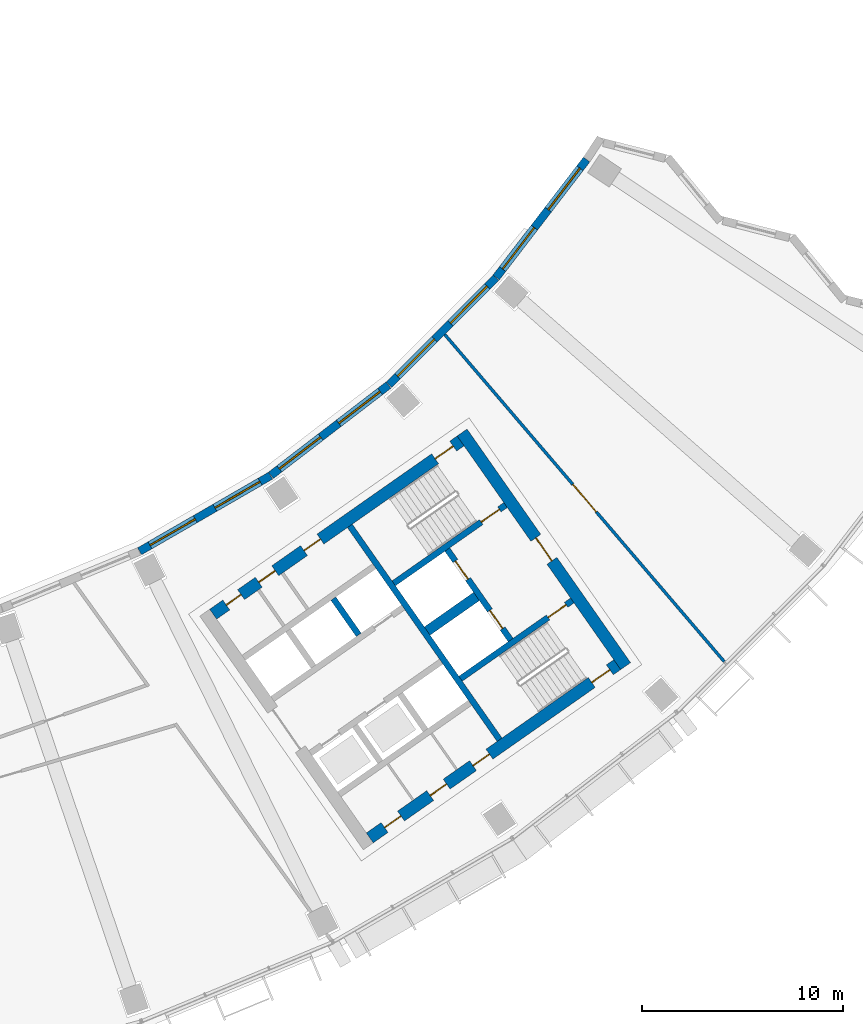
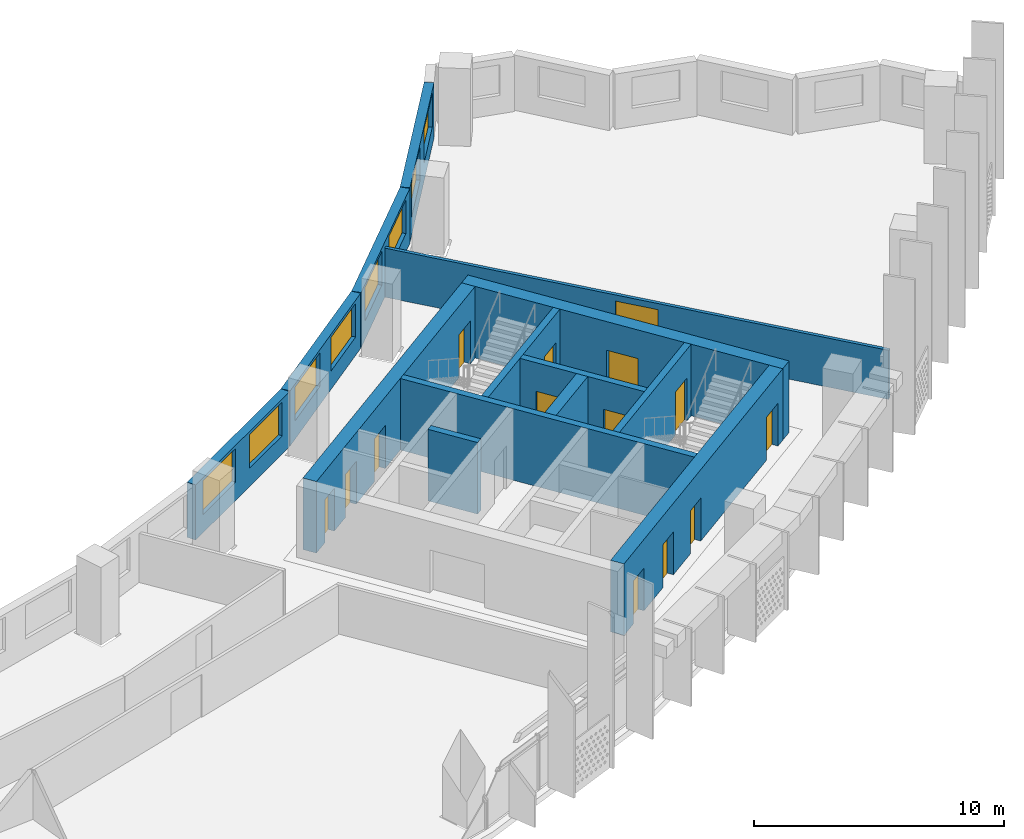
# One storey, part 6 of 31: 14 doors, 14 walls, 8 windows, 22 openings.
"""IFC4 building model written with IfcOpenShell, lengths in metres."""

from ifc_helpers import new_model, si_unit, direction, frame, frame_2d, origin, place, context, subcontext, project, spatial, rectangle, extrude, material, layer, layer_set, type_object, element, fill, save


model = new_model("IFC4")

# Units and contexts
model_context = context("Model", 3, precision=1e-05, world=origin(), true_north=direction((0.0, 1.0)))
body_context = subcontext(model_context, "Body", "Model", "MODEL_VIEW")
ifc_project = project(units=[si_unit("LENGTHUNIT", "METRE"), si_unit("AREAUNIT", "SQUARE_METRE"), si_unit("VOLUMEUNIT", "CUBIC_METRE"), si_unit("PLANEANGLEUNIT", "RADIAN"), si_unit("MASSUNIT", "GRAM", prefix="KILO")], contexts=[model_context])

# Site, building, storey
site_placement = place(None, origin())
site = spatial("IfcSite", under=ifc_project, at=site_placement, CompositionType="ELEMENT")
building_placement = place(site_placement, origin())
building = spatial("IfcBuilding", under=site, at=building_placement, Name="Qamariyya Broadcast Tower", CompositionType="ELEMENT")
storey_placement = place(building_placement, frame((0.0, 0.0, 149.300048828125)))
storey = spatial("IfcBuildingStorey", under=building, at=storey_placement, Name="L34", CompositionType="ELEMENT", Elevation=149.300048828125)

# Wall, opening, door
ifc_material_1 = material(Name="Concrete C60/75", Category="concrete")
ifc_layer_1 = layer(ifc_material_1, 0.60009765625)
ifc_layer_set_1 = layer_set([ifc_layer_1], Name="Core wall 600 mm Concrete C60/75")
wall_type_1 = type_object("IfcWallType", Name="Core wall 600 mm Concrete C60/75", PredefinedType="SHEAR", material=ifc_layer_set_1)
wall_1_placement = place(storey_placement, frame((49.4833984375, -57.031494140625, 0.0), z_axis=(0.0, 0.0, 1.0), x_axis=(-0.573560421458, 0.819163257805, 0.0)))
wall_1 = element("IfcWall", 1, at=wall_1_placement, inside=storey, type_object=wall_type_1, Name="k-E-L34-WH", PredefinedType="SHEAR", context=body_context, shape_type="SweptSolid", body=[
    extrude(rectangle(XDim=14.199951171875, YDim=0.60009765625, at=frame_2d((7.10009765625, 0.0))), origin(), (0.0, 0.0, 1.0), 3.5),
])
opening_1_placement = place(wall_1_placement, frame((6.39990234375, 0.0, 0.0)))
opening_1 = element("IfcOpeningElement", 2, at=opening_1_placement, cuts=wall_1, Name="Opening KD2-E1", PredefinedType="OPENING", context=body_context, shape_type="SweptSolid", body=[
    extrude(rectangle(XDim=1.39990234375, YDim=2.10009765625, at=frame_2d((0.699951171875, 1.050048828125))), frame((0.0, 0.31005859375, 0.0), z_axis=(0.0, -1.0, 0.0), x_axis=(1.0, 0.0, 0.0)), (0.0, 0.0, 1.0), 0.6201171875),
])
ifc_material_2 = material(Name="Steel fire-resisting door leaf", Category="steel")
door_type_1 = type_object("IfcDoorType", Name="Fire-fighting lobby door KD2", OperationType="DOUBLE_DOOR_SINGLE_SWING", PredefinedType="DOOR", material=ifc_material_2)
door_1_placement = place(opening_1_placement, origin())
door_1 = element("IfcDoor", 3, at=door_1_placement, inside=storey, type_object=door_type_1, Name="k-E-L34-WH-D13", OperationType="DOUBLE_DOOR_SINGLE_SWING", OverallHeight=2.10009765625, OverallWidth=1.39990234375, PredefinedType="DOOR", context=body_context, shape_type="SweptSolid", body=[
    extrude(rectangle(XDim=1.39990234375, YDim=2.10009765625, at=frame_2d((0.699951171875, 1.050048828125))), frame((0.0, 0.02490234375, 0.0), z_axis=(0.0, -1.0, 0.0), x_axis=(1.0, 0.0, 0.0)), (0.0, 0.0, 1.0), 0.050048828125),
])
fill(opening_1, door_1)

# Wall, openings, doors
wall_2_placement = place(storey_placement, frame((28.940673828125, -54.447021484375, 0.0), z_axis=(0.0, 0.0, 1.0), x_axis=(0.819153391756, 0.573574511963, 0.0)))
wall_2 = element("IfcWall", 4, at=wall_2_placement, inside=storey, type_object=wall_type_1, Name="k-E-L34-WI", PredefinedType="SHEAR", context=body_context, shape_type="SweptSolid", body=[
    extrude(rectangle(XDim=15.04541015625, YDim=0.60009765625, at=frame_2d((7.522705078125, 0.0))), origin(), (0.0, 0.0, 1.0), 3.5),
])
opening_2_placement = place(wall_2_placement, frame((0.800048828125, 0.0, 0.0)))
opening_2 = element("IfcOpeningElement", 5, at=opening_2_placement, cuts=wall_2, Name="Opening KD5-E1", PredefinedType="OPENING", context=body_context, shape_type="SweptSolid", body=[
    extrude(rectangle(XDim=0.89990234375, YDim=2.10009765625, at=frame_2d((0.449951171875, 1.050048828125))), frame((0.0, 0.31005859375, 0.0), z_axis=(0.0, -1.0, 0.0), x_axis=(1.0, 0.0, 0.0)), (0.0, 0.0, 1.0), 0.6201171875),
])
opening_3_placement = place(wall_2_placement, frame((2.77490234375, 0.0, 0.0)))
opening_3 = element("IfcOpeningElement", 6, at=opening_3_placement, cuts=wall_2, Name="Opening KD7-E1", PredefinedType="OPENING", context=body_context, shape_type="SweptSolid", body=[
    extrude(rectangle(XDim=1.0, YDim=2.10009765625, at=frame_2d((0.5, 1.050048828125))), frame((0.0, 0.31005859375, 0.0), z_axis=(0.0, -1.0, 0.0), x_axis=(1.0, 0.0, 0.0)), (0.0, 0.0, 1.0), 0.6201171875),
])
opening_4_placement = place(wall_2_placement, frame((5.52490234375, 0.0, 0.0)))
opening_4 = element("IfcOpeningElement", 7, at=opening_4_placement, cuts=wall_2, Name="Opening KD6-E1", PredefinedType="OPENING", context=body_context, shape_type="SweptSolid", body=[
    extrude(rectangle(XDim=1.0, YDim=2.10009765625, at=frame_2d((0.5, 1.050048828125))), frame((0.0, 0.31005859375, 0.0), z_axis=(0.0, -1.0, 0.0), x_axis=(1.0, 0.0, 0.0)), (0.0, 0.0, 1.0), 0.6201171875),
])
opening_5_placement = place(wall_2_placement, frame((13.495361328125, 0.0, 0.0)))
opening_5 = element("IfcOpeningElement", 8, at=opening_5_placement, cuts=wall_2, Name="Opening KD1-E1", PredefinedType="OPENING", context=body_context, shape_type="SweptSolid", body=[
    extrude(rectangle(XDim=1.10009765625, YDim=2.10009765625, at=frame_2d((0.550048828125, 1.050048828125))), frame((0.0, 0.31005859375, 0.0), z_axis=(0.0, -1.0, 0.0), x_axis=(1.0, 0.0, 0.0)), (0.0, 0.0, 1.0), 0.6201171875),
])
door_type_2 = type_object("IfcDoorType", Name="Accessible toilet door KD7", OperationType="SINGLE_SWING_LEFT", PredefinedType="DOOR", material=ifc_material_2)
door_2_placement = place(opening_3_placement, origin())
door_2 = element("IfcDoor", 9, at=door_2_placement, inside=storey, type_object=door_type_2, Name="k-E-L34-WI-D6", OperationType="SINGLE_SWING_RIGHT", OverallHeight=2.10009765625, OverallWidth=1.0, PredefinedType="DOOR", context=body_context, shape_type="SweptSolid", body=[
    extrude(rectangle(XDim=1.0, YDim=2.10009765625, at=frame_2d((0.5, 1.050048828125))), frame((0.0, 0.02490234375, 0.0), z_axis=(0.0, -1.0, 0.0), x_axis=(1.0, 0.0, 0.0)), (0.0, 0.0, 1.0), 0.050048828125),
])
fill(opening_3, door_2)
door_type_3 = type_object("IfcDoorType", Name="Core room door KD6", OperationType="SINGLE_SWING_LEFT", PredefinedType="DOOR", material=ifc_material_2)
door_3_placement = place(opening_4_placement, origin())
door_3 = element("IfcDoor", 10, at=door_3_placement, inside=storey, type_object=door_type_3, Name="k-E-L34-WI-D7", OperationType="SINGLE_SWING_LEFT", OverallHeight=2.10009765625, OverallWidth=1.0, PredefinedType="DOOR", context=body_context, shape_type="SweptSolid", body=[
    extrude(rectangle(XDim=1.0, YDim=2.10009765625, at=frame_2d((0.5, 1.050048828125))), frame((0.0, 0.02490234375, 0.0), z_axis=(0.0, -1.0, 0.0), x_axis=(1.0, 0.0, 0.0)), (0.0, 0.0, 1.0), 0.050048828125),
])
fill(opening_4, door_3)
door_type_4 = type_object("IfcDoorType", Name="Stair door KD1", OperationType="SINGLE_SWING_LEFT", PredefinedType="DOOR", material=ifc_material_2)
door_4_placement = place(opening_5_placement, origin())
door_4 = element("IfcDoor", 11, at=door_4_placement, inside=storey, type_object=door_type_4, Name="k-E-L34-WI-D14", OperationType="SINGLE_SWING_RIGHT", OverallHeight=2.10009765625, OverallWidth=1.10009765625, PredefinedType="DOOR", context=body_context, shape_type="SweptSolid", body=[
    extrude(rectangle(XDim=1.10009765625, YDim=2.10009765625, at=frame_2d((0.550048828125, 1.050048828125))), frame((0.0, 0.02490234375, 0.0), z_axis=(0.0, -1.0, 0.0), x_axis=(1.0, 0.0, 0.0)), (0.0, 0.0, 1.0), 0.050048828125),
])
fill(opening_5, door_4)
door_type_5 = type_object("IfcDoorType", Name="Toilet door KD5", OperationType="SINGLE_SWING_LEFT", PredefinedType="DOOR", material=ifc_material_2)
door_5_placement = place(opening_2_placement, origin())
door_5 = element("IfcDoor", 12, at=door_5_placement, inside=storey, type_object=door_type_5, Name="k-E-L34-WI-D5", OperationType="SINGLE_SWING_LEFT", OverallHeight=2.10009765625, OverallWidth=0.89990234375, PredefinedType="DOOR", context=body_context, shape_type="SweptSolid", body=[
    extrude(rectangle(XDim=0.89990234375, YDim=2.10009765625, at=frame_2d((0.449951171875, 1.050048828125))), frame((0.0, 0.02490234375, 0.0), z_axis=(0.0, -1.0, 0.0), x_axis=(1.0, 0.0, 0.0)), (0.0, 0.0, 1.0), 0.050048828125),
])
fill(opening_2, door_5)

wall_3_placement = place(storey_placement, frame((36.7412109375, -65.58740234375, 0.0), z_axis=(0.0, 0.0, 1.0), x_axis=(0.819153391756, 0.573574511963, 0.0)))
wall_3 = element("IfcWall", 13, at=wall_3_placement, inside=storey, type_object=wall_type_1, Name="k-E-L34-WO", PredefinedType="SHEAR", context=body_context, shape_type="SweptSolid", body=[
    extrude(rectangle(XDim=15.04541015625, YDim=0.60009765625, at=frame_2d((7.522705078125, 0.0))), origin(), (0.0, 0.0, 1.0), 3.5),
])
opening_6_placement = place(wall_3_placement, frame((0.89990234375, 0.0, 0.0)))
opening_6 = element("IfcOpeningElement", 14, at=opening_6_placement, cuts=wall_3, Name="Opening KD4-E1", PredefinedType="OPENING", context=body_context, shape_type="SweptSolid", body=[
    extrude(rectangle(XDim=1.0, YDim=2.10009765625, at=frame_2d((0.5, 1.050048828125))), frame((0.0, 0.31005859375, 0.0), z_axis=(0.0, -1.0, 0.0), x_axis=(1.0, 0.0, 0.0)), (0.0, 0.0, 1.0), 0.6201171875),
])
opening_7_placement = place(wall_3_placement, frame((3.675048828125, 0.0, 0.0)))
opening_7 = element("IfcOpeningElement", 15, at=opening_7_placement, cuts=wall_3, Name="Opening KD4-E2", PredefinedType="OPENING", context=body_context, shape_type="SweptSolid", body=[
    extrude(rectangle(XDim=1.0, YDim=2.10009765625, at=frame_2d((0.5, 1.050048828125))), frame((0.0, 0.31005859375, 0.0), z_axis=(0.0, -1.0, 0.0), x_axis=(1.0, 0.0, 0.0)), (0.0, 0.0, 1.0), 0.6201171875),
])
opening_8_placement = place(wall_3_placement, frame((6.27490234375, 0.0, 0.0)))
opening_8 = element("IfcOpeningElement", 16, at=opening_8_placement, cuts=wall_3, Name="Opening KD4-E3", PredefinedType="OPENING", context=body_context, shape_type="SweptSolid", body=[
    extrude(rectangle(XDim=1.0, YDim=2.10009765625, at=frame_2d((0.5, 1.050048828125))), frame((0.0, 0.31005859375, 0.0), z_axis=(0.0, -1.0, 0.0), x_axis=(1.0, 0.0, 0.0)), (0.0, 0.0, 1.0), 0.6201171875),
])
opening_9_placement = place(wall_3_placement, frame((13.495361328125, 0.0, 0.0)))
opening_9 = element("IfcOpeningElement", 17, at=opening_9_placement, cuts=wall_3, Name="Opening KD1-E3", PredefinedType="OPENING", context=body_context, shape_type="SweptSolid", body=[
    extrude(rectangle(XDim=1.10009765625, YDim=2.10009765625, at=frame_2d((0.550048828125, 1.050048828125))), frame((0.0, 0.31005859375, 0.0), z_axis=(0.0, -1.0, 0.0), x_axis=(1.0, 0.0, 0.0)), (0.0, 0.0, 1.0), 0.6201171875),
])
door_type_6 = type_object("IfcDoorType", Name="Riser and plant door KD4", OperationType="SINGLE_SWING_LEFT", PredefinedType="DOOR", material=ifc_material_2)
door_6_placement = place(opening_6_placement, origin())
door_6 = element("IfcDoor", 18, at=door_6_placement, inside=storey, type_object=door_type_6, Name="k-E-L34-WO-D8", OperationType="SINGLE_SWING_RIGHT", OverallHeight=2.10009765625, OverallWidth=1.0, PredefinedType="DOOR", context=body_context, shape_type="SweptSolid", body=[
    extrude(rectangle(XDim=1.0, YDim=2.10009765625, at=frame_2d((0.5, 1.050048828125))), frame((0.0, 0.02490234375, 0.0), z_axis=(0.0, -1.0, 0.0), x_axis=(1.0, 0.0, 0.0)), (0.0, 0.0, 1.0), 0.050048828125),
])
fill(opening_6, door_6)
door_7_placement = place(opening_7_placement, origin())
door_7 = element("IfcDoor", 19, at=door_7_placement, inside=storey, type_object=door_type_6, Name="k-E-L34-WO-D9", OperationType="SINGLE_SWING_LEFT", OverallHeight=2.10009765625, OverallWidth=1.0, PredefinedType="DOOR", context=body_context, shape_type="SweptSolid", body=[
    extrude(rectangle(XDim=1.0, YDim=2.10009765625, at=frame_2d((0.5, 1.050048828125))), frame((0.0, 0.02490234375, 0.0), z_axis=(0.0, -1.0, 0.0), x_axis=(1.0, 0.0, 0.0)), (0.0, 0.0, 1.0), 0.050048828125),
])
fill(opening_7, door_7)
door_8_placement = place(opening_8_placement, origin())
door_8 = element("IfcDoor", 20, at=door_8_placement, inside=storey, type_object=door_type_6, Name="k-E-L34-WO-D10", OperationType="SINGLE_SWING_RIGHT", OverallHeight=2.10009765625, OverallWidth=1.0, PredefinedType="DOOR", context=body_context, shape_type="SweptSolid", body=[
    extrude(rectangle(XDim=1.0, YDim=2.10009765625, at=frame_2d((0.5, 1.050048828125))), frame((0.0, 0.02490234375, 0.0), z_axis=(0.0, -1.0, 0.0), x_axis=(1.0, 0.0, 0.0)), (0.0, 0.0, 1.0), 0.050048828125),
])
fill(opening_8, door_8)
door_9_placement = place(opening_9_placement, origin())
door_9 = element("IfcDoor", 21, at=door_9_placement, inside=storey, type_object=door_type_4, Name="k-E-L34-WO-D16", OperationType="SINGLE_SWING_LEFT", OverallHeight=2.10009765625, OverallWidth=1.10009765625, PredefinedType="DOOR", context=body_context, shape_type="SweptSolid", body=[
    extrude(rectangle(XDim=1.10009765625, YDim=2.10009765625, at=frame_2d((0.550048828125, 1.050048828125))), frame((0.0, 0.02490234375, 0.0), z_axis=(0.0, -1.0, 0.0), x_axis=(1.0, 0.0, 0.0)), (0.0, 0.0, 1.0), 0.050048828125),
])
fill(opening_9, door_9)

# Wall, opening, door
ifc_material_3 = material(Name="Gypsum board partition")
ifc_layer_2 = layer(ifc_material_3, 0.14990234375)
ifc_layer_set_2 = layer_set([ifc_layer_2], Name="Corridor partition 150 EI 60")
wall_type_2 = type_object("IfcWallType", Name="Corridor partition 150 EI 60", PredefinedType="PARTITIONING", material=ifc_layer_set_2)
wall_4_placement = place(storey_placement, frame((40.478759765625, -40.52294921875, 0.0), z_axis=(0.0, 0.0, 1.0), x_axis=(0.649633284071, -0.760247720303, 0.0)))
wall_4 = element("IfcWall", 22, at=wall_4_placement, inside=storey, type_object=wall_type_2, Name="Partition L34-022", PredefinedType="PARTITIONING", context=body_context, shape_type="SweptSolid", body=[
    extrude(rectangle(XDim=21.420166015625, YDim=0.14990234375, at=frame_2d((10.7099609375, 0.0))), origin(), (0.0, 0.0, 1.0), 2.39990234375),
])
opening_10_placement = place(wall_4_placement, frame((9.81005859375, 0.0, 0.0)))
opening_10 = element("IfcOpeningElement", 23, at=opening_10_placement, cuts=wall_4, Name="Opening L34-D10", PredefinedType="OPENING", context=body_context, shape_type="SweptSolid", body=[
    extrude(rectangle(XDim=1.800048828125, YDim=2.10009765625, at=frame_2d((0.89990234375, 1.050048828125))), frame((0.0, 0.0849609375, 0.0), z_axis=(0.0, -1.0, 0.0), x_axis=(1.0, 0.0, 0.0)), (0.0, 0.0, 1.0), 0.169921875),
])
ifc_material_4 = material(Name="Timber fire door leaf", Category="wood")
door_type_7 = type_object("IfcDoorType", Name="Double fire door 1800 x 2100 FD60", OperationType="NOTDEFINED", PredefinedType="DOOR", material=ifc_material_4)
door_10_placement = place(opening_10_placement, origin())
door_10 = element("IfcDoor", 24, at=door_10_placement, inside=storey, type_object=door_type_7, Name="Door L34-D10", OperationType="DOUBLE_DOOR_SINGLE_SWING", OverallHeight=2.10009765625, OverallWidth=1.800048828125, PredefinedType="DOOR", context=body_context, shape_type="SweptSolid", body=[
    extrude(rectangle(XDim=1.800048828125, YDim=2.10009765625, at=frame_2d((0.89990234375, 1.050048828125))), frame((0.0, 0.02490234375, 0.0), z_axis=(0.0, -1.0, 0.0), x_axis=(1.0, 0.0, 0.0)), (0.0, 0.0, 1.0), 0.050048828125),
])
fill(opening_10, door_10)

# Walls
ifc_layer_3 = layer(ifc_material_1, 0.5)
ifc_layer_set_3 = layer_set([ifc_layer_3], Name="Fire-fighting lobby divider wall 500 mm Concrete C60/75")
wall_type_3 = type_object("IfcWallType", Name="Fire-fighting lobby divider wall 500 mm Concrete C60/75", PredefinedType="SOLIDWALL", material=ifc_layer_set_3)
wall_5_placement = place(storey_placement, frame((39.59912109375, -55.28515625, 0.0), z_axis=(0.0, 0.0, 1.0), x_axis=(0.819136323161, 0.573598887793, 0.0)))
element("IfcWall", 25, at=wall_5_placement, inside=storey, type_object=wall_type_3, Name="k-E-L34-FD", PredefinedType="SOLIDWALL", context=body_context, shape_type="SweptSolid", body=[
    extrude(rectangle(XDim=2.999755859375, YDim=0.5, at=frame_2d((1.5, 0.0))), origin(), (0.0, 0.0, 1.0), 3.5),
])
ifc_layer_4 = layer(ifc_material_1, 0.300048828125)
ifc_layer_set_4 = layer_set([ifc_layer_4], Name="Lift shaft wall 300 mm Concrete C60/75")
wall_type_4 = type_object("IfcWallType", Name="Lift shaft wall 300 mm Concrete C60/75", PredefinedType="SOLIDWALL", material=ifc_layer_set_4)
wall_6_placement = place(storey_placement, frame((43.204345703125, -60.69580078125, 0.0), z_axis=(0.0, 0.0, 1.0), x_axis=(-0.573571992966, 0.819155155563, 0.0)))
element("IfcWall", 26, at=wall_6_placement, inside=storey, type_object=wall_type_4, Name="k-E-L34-WL", PredefinedType="SOLIDWALL", context=body_context, shape_type="SweptSolid", body=[
    extrude(rectangle(XDim=13.000244140625, YDim=0.300048828125, at=frame_2d((6.5, 0.0))), origin(), (0.0, 0.0, 1.0), 3.5),
])
wall_7_placement = place(storey_placement, frame((36.19091796875, -55.47412109375, 0.0), z_axis=(0.0, 0.0, 1.0), x_axis=(-0.573507030513, 0.819200638399, 0.0)))
element("IfcWall", 27, at=wall_7_placement, inside=storey, type_object=wall_type_4, Name="k-E-L34-ND1", PredefinedType="SOLIDWALL", context=body_context, shape_type="SweptSolid", body=[
    extrude(rectangle(XDim=2.199951171875, YDim=0.300048828125, at=frame_2d((1.10009765625, 0.0))), origin(), (0.0, 0.0, 1.0), 3.5),
])

# Wall, opening, door
wall_8_placement = place(storey_placement, frame((37.935546875, -52.90966796875, 0.0), z_axis=(0.0, 0.0, 1.0), x_axis=(0.819147518138, 0.57358290031, 0.0)))
wall_8 = element("IfcWall", 28, at=wall_8_placement, inside=storey, type_object=wall_type_4, Name="k-E-L34-NW", PredefinedType="SOLIDWALL", context=body_context, shape_type="SweptSolid", body=[
    extrude(rectangle(XDim=6.79541015625, YDim=0.300048828125, at=frame_2d((3.397705078125, 0.0))), origin(), (0.0, 0.0, 1.0), 3.5),
])
opening_11_placement = place(wall_8_placement, frame((5.3203125, 0.0, 0.0)))
opening_11 = element("IfcOpeningElement", 29, at=opening_11_placement, cuts=wall_8, Name="Opening KD1-E2", PredefinedType="OPENING", context=body_context, shape_type="SweptSolid", body=[
    extrude(rectangle(XDim=1.10009765625, YDim=2.10009765625, at=frame_2d((0.550048828125, 1.050048828125))), frame((0.0, 0.159912109375, 0.0), z_axis=(0.0, -1.0, 0.0), x_axis=(1.0, 0.0, 0.0)), (0.0, 0.0, 1.0), 0.320068359375),
])
door_11_placement = place(opening_11_placement, origin())
door_11 = element("IfcDoor", 30, at=door_11_placement, inside=storey, type_object=door_type_4, Name="k-E-L34-NW-D15", OperationType="SINGLE_SWING_LEFT", OverallHeight=2.10009765625, OverallWidth=1.10009765625, PredefinedType="DOOR", context=body_context, shape_type="SweptSolid", body=[
    extrude(rectangle(XDim=1.10009765625, YDim=2.10009765625, at=frame_2d((0.550048828125, 1.050048828125))), frame((0.0, 0.02490234375, 0.0), z_axis=(0.0, -1.0, 0.0), x_axis=(1.0, 0.0, 0.0)), (0.0, 0.0, 1.0), 0.050048828125),
])
fill(opening_11, door_11)

wall_9_placement = place(storey_placement, frame((41.262451171875, -57.66064453125, 0.0), z_axis=(0.0, 0.0, 1.0), x_axis=(0.819164398642, 0.573558792102, 0.0)))
wall_9 = element("IfcWall", 31, at=wall_9_placement, inside=storey, type_object=wall_type_4, Name="k-E-L34-SW", PredefinedType="SOLIDWALL", context=body_context, shape_type="SweptSolid", body=[
    extrude(rectangle(XDim=6.795166015625, YDim=0.300048828125, at=frame_2d((3.3974609375, 0.0))), origin(), (0.0, 0.0, 1.0), 3.5),
])
opening_12_placement = place(wall_9_placement, frame((5.3203125, 0.0, 0.0)))
opening_12 = element("IfcOpeningElement", 32, at=opening_12_placement, cuts=wall_9, Name="Opening KD1-E4", PredefinedType="OPENING", context=body_context, shape_type="SweptSolid", body=[
    extrude(rectangle(XDim=1.10009765625, YDim=2.10009765625, at=frame_2d((0.550048828125, 1.050048828125))), frame((0.0, 0.159912109375, 0.0), z_axis=(0.0, -1.0, 0.0), x_axis=(1.0, 0.0, 0.0)), (0.0, 0.0, 1.0), 0.320068359375),
])
door_12_placement = place(opening_12_placement, origin())
door_12 = element("IfcDoor", 33, at=door_12_placement, inside=storey, type_object=door_type_4, Name="k-E-L34-SW-D17", OperationType="SINGLE_SWING_LEFT", OverallHeight=2.10009765625, OverallWidth=1.10009765625, PredefinedType="DOOR", context=body_context, shape_type="SweptSolid", body=[
    extrude(rectangle(XDim=1.10009765625, YDim=2.10009765625, at=frame_2d((0.550048828125, 1.050048828125))), frame((0.0, 0.02490234375, 0.0), z_axis=(0.0, -1.0, 0.0), x_axis=(1.0, 0.0, 0.0)), (0.0, 0.0, 1.0), 0.050048828125),
])
fill(opening_12, door_12)

# Wall, openings, doors
wall_10_placement = place(storey_placement, frame((43.756591796875, -55.731201171875, 0.0), z_axis=(0.0, 0.0, 1.0), x_axis=(-0.573536818435, 0.819179783625, 0.0)))
wall_10 = element("IfcWall", 34, at=wall_10_placement, inside=storey, type_object=wall_type_4, Name="k-E-L34-FF", PredefinedType="SOLIDWALL", context=body_context, shape_type="SweptSolid", body=[
    extrude(rectangle(XDim=5.500244140625, YDim=0.300048828125, at=frame_2d((2.75, 0.0))), origin(), (0.0, 0.0, 1.0), 3.5),
])
opening_13_placement = place(wall_10_placement, frame((0.699951171875, 0.0, 0.0)))
opening_13 = element("IfcOpeningElement", 35, at=opening_13_placement, cuts=wall_10, Name="Opening LD", PredefinedType="OPENING", context=body_context, shape_type="SweptSolid", body=[
    extrude(rectangle(XDim=1.10009765625, YDim=2.10009765625, at=frame_2d((0.550048828125, 1.050048828125))), frame((0.0, 0.159912109375, 0.0), z_axis=(0.0, -1.0, 0.0), x_axis=(1.0, 0.0, 0.0)), (0.0, 0.0, 1.0), 0.320068359375),
])
opening_14_placement = place(wall_10_placement, frame((3.699951171875, 0.0, 0.0)))
opening_14 = element("IfcOpeningElement", 36, at=opening_14_placement, cuts=wall_10, Name="Opening LD", PredefinedType="OPENING", context=body_context, shape_type="SweptSolid", body=[
    extrude(rectangle(XDim=1.10009765625, YDim=2.10009765625, at=frame_2d((0.550048828125, 1.050048828125))), frame((0.0, 0.159912109375, 0.0), z_axis=(0.0, -1.0, 0.0), x_axis=(1.0, 0.0, 0.0)), (0.0, 0.0, 1.0), 0.320068359375),
])
door_type_8 = type_object("IfcDoorType", Name="Lift landing door LD", OperationType="DOUBLE_DOOR_SLIDING", PredefinedType="DOOR", material=ifc_material_2)
door_13_placement = place(opening_13_placement, origin())
door_13 = element("IfcDoor", 37, at=door_13_placement, inside=storey, type_object=door_type_8, Name="k-E-L34-FF-D11", OperationType="DOUBLE_DOOR_SLIDING", OverallHeight=2.10009765625, OverallWidth=1.10009765625, PredefinedType="DOOR", context=body_context, shape_type="SweptSolid", body=[
    extrude(rectangle(XDim=1.10009765625, YDim=2.10009765625, at=frame_2d((0.550048828125, 1.050048828125))), frame((0.0, 0.02490234375, 0.0), z_axis=(0.0, -1.0, 0.0), x_axis=(1.0, 0.0, 0.0)), (0.0, 0.0, 1.0), 0.050048828125),
])
fill(opening_13, door_13)
door_14_placement = place(opening_14_placement, origin())
door_14 = element("IfcDoor", 38, at=door_14_placement, inside=storey, type_object=door_type_8, Name="k-E-L34-FF-D12", OperationType="DOUBLE_DOOR_SLIDING", OverallHeight=2.10009765625, OverallWidth=1.10009765625, PredefinedType="DOOR", context=body_context, shape_type="SweptSolid", body=[
    extrude(rectangle(XDim=1.10009765625, YDim=2.10009765625, at=frame_2d((0.550048828125, 1.050048828125))), frame((0.0, 0.02490234375, 0.0), z_axis=(0.0, -1.0, 0.0), x_axis=(1.0, 0.0, 0.0)), (0.0, 0.0, 1.0), 0.050048828125),
])
fill(opening_14, door_14)

# Wall, openings, windows
ifc_material_5 = material(Name="Terracotta", Category="masonry")
ifc_layer_5 = layer(ifc_material_5, 0.39990234375)
ifc_layer_set_5 = layer_set([ifc_layer_5], Name="Terracotta clad wall 400")
wall_type_5 = type_object("IfcWallType", Name="Terracotta clad wall 400", PredefinedType="SOLIDWALL", material=ifc_layer_set_5)
wall_11_placement = place(storey_placement, frame((31.800537109375, -47.5478515625, 0.0), z_axis=(0.0, 0.0, 1.0), x_axis=(-0.866028517328, -0.499994607145, 0.0)))
wall_11 = element("IfcWall", 39, at=wall_11_placement, inside=storey, type_object=wall_type_5, Name="e-wl-L34-in110", PredefinedType="SOLIDWALL", context=body_context, shape_type="SweptSolid", body=[
    extrude(rectangle(XDim=7.5322265625, YDim=0.39990234375, at=frame_2d((3.76611328125, 0.0))), origin(), (0.0, 0.0, 1.0), 2.699951171875),
])
opening_15_placement = place(wall_11_placement, frame((4.330078125, 0.0, 0.89990234375)))
opening_15 = element("IfcOpeningElement", 40, at=opening_15_placement, cuts=wall_11, Name="Opening W1", PredefinedType="OPENING", context=body_context, shape_type="SweptSolid", body=[
    extrude(rectangle(XDim=2.60009765625, YDim=1.64990234375, at=frame_2d((1.300048828125, 0.824951171875))), frame((0.0, 0.2099609375, 0.0), z_axis=(0.0, -1.0, 0.0), x_axis=(1.0, 0.0, 0.0)), (0.0, 0.0, 1.0), 0.419921875),
])
opening_16_placement = place(wall_11_placement, frame((0.60205078125, 0.0, 0.89990234375)))
opening_16 = element("IfcOpeningElement", 41, at=opening_16_placement, cuts=wall_11, Name="Opening W1", PredefinedType="OPENING", context=body_context, shape_type="SweptSolid", body=[
    extrude(rectangle(XDim=2.60009765625, YDim=1.64990234375, at=frame_2d((1.300048828125, 0.824951171875))), frame((0.0, 0.2099609375, 0.0), z_axis=(0.0, -1.0, 0.0), x_axis=(1.0, 0.0, 0.0)), (0.0, 0.0, 1.0), 0.419921875),
])
ifc_material_6 = material(Name="Clear low-e double glazed unit in aluminium frame", Category="aluminium")
window_type = type_object("IfcWindowType", Name="Ribbon window 2600 x 1650", PartitioningType="SINGLE_PANEL", PredefinedType="WINDOW", material=ifc_material_6)
window_1_placement = place(opening_15_placement, origin())
window_1 = element("IfcWindow", 42, at=window_1_placement, inside=storey, type_object=window_type, Name="e-w-L34-in11-0", OverallHeight=1.64990234375, OverallWidth=2.60009765625, PartitioningType="SINGLE_PANEL", PredefinedType="WINDOW", context=body_context, shape_type="SweptSolid", body=[
    extrude(rectangle(XDim=2.60009765625, YDim=1.64990234375, at=frame_2d((1.300048828125, 0.824951171875))), frame((0.0, 0.030029296875, 0.0), z_axis=(0.0, -1.0, 0.0), x_axis=(1.0, 0.0, 0.0)), (0.0, 0.0, 1.0), 0.06005859375),
])
fill(opening_15, window_1)
window_2_placement = place(opening_16_placement, origin())
window_2 = element("IfcWindow", 43, at=window_2_placement, inside=storey, type_object=window_type, Name="e-w-L34-in11-1", OverallHeight=1.64990234375, OverallWidth=2.60009765625, PartitioningType="SINGLE_PANEL", PredefinedType="WINDOW", context=body_context, shape_type="SweptSolid", body=[
    extrude(rectangle(XDim=2.60009765625, YDim=1.64990234375, at=frame_2d((1.300048828125, 0.824951171875))), frame((0.0, 0.030029296875, 0.0), z_axis=(0.0, -1.0, 0.0), x_axis=(1.0, 0.0, 0.0)), (0.0, 0.0, 1.0), 0.06005859375),
])
fill(opening_16, window_2)

wall_12_placement = place(storey_placement, frame((37.674560546875, -43.036376953125, 0.0), z_axis=(0.0, 0.0, 1.0), x_axis=(-0.79334647843, -0.608770371457, 0.0)))
wall_12 = element("IfcWall", 44, at=wall_12_placement, inside=storey, type_object=wall_type_5, Name="e-wl-L34-in120", PredefinedType="SOLIDWALL", context=body_context, shape_type="SweptSolid", body=[
    extrude(rectangle(XDim=7.380615234375, YDim=0.39990234375, at=frame_2d((3.6904296875, 0.0))), origin(), (0.0, 0.0, 1.0), 2.699951171875),
])
opening_17_placement = place(wall_12_placement, frame((4.25439453125, 0.0, 0.89990234375)))
opening_17 = element("IfcOpeningElement", 45, at=opening_17_placement, cuts=wall_12, Name="Opening W1", PredefinedType="OPENING", context=body_context, shape_type="SweptSolid", body=[
    extrude(rectangle(XDim=2.60009765625, YDim=1.64990234375, at=frame_2d((1.300048828125, 0.824951171875))), frame((0.0, 0.2099609375, 0.0), z_axis=(0.0, -1.0, 0.0), x_axis=(1.0, 0.0, 0.0)), (0.0, 0.0, 1.0), 0.419921875),
])
opening_18_placement = place(wall_12_placement, frame((0.5263671875, 0.0, 0.89990234375)))
opening_18 = element("IfcOpeningElement", 46, at=opening_18_placement, cuts=wall_12, Name="Opening W1", PredefinedType="OPENING", context=body_context, shape_type="SweptSolid", body=[
    extrude(rectangle(XDim=2.60009765625, YDim=1.64990234375, at=frame_2d((1.300048828125, 0.824951171875))), frame((0.0, 0.2099609375, 0.0), z_axis=(0.0, -1.0, 0.0), x_axis=(1.0, 0.0, 0.0)), (0.0, 0.0, 1.0), 0.419921875),
])
window_3_placement = place(opening_17_placement, origin())
window_3 = element("IfcWindow", 47, at=window_3_placement, inside=storey, type_object=window_type, Name="e-w-L34-in12-0", OverallHeight=1.64990234375, OverallWidth=2.60009765625, PartitioningType="SINGLE_PANEL", PredefinedType="WINDOW", context=body_context, shape_type="SweptSolid", body=[
    extrude(rectangle(XDim=2.60009765625, YDim=1.64990234375, at=frame_2d((1.300048828125, 0.824951171875))), frame((0.0, 0.030029296875, 0.0), z_axis=(0.0, -1.0, 0.0), x_axis=(1.0, 0.0, 0.0)), (0.0, 0.0, 1.0), 0.06005859375),
])
fill(opening_17, window_3)
window_4_placement = place(opening_18_placement, origin())
window_4 = element("IfcWindow", 48, at=window_4_placement, inside=storey, type_object=window_type, Name="e-w-L34-in12-1", OverallHeight=1.64990234375, OverallWidth=2.60009765625, PartitioningType="SINGLE_PANEL", PredefinedType="WINDOW", context=body_context, shape_type="SweptSolid", body=[
    extrude(rectangle(XDim=2.60009765625, YDim=1.64990234375, at=frame_2d((1.300048828125, 0.824951171875))), frame((0.0, 0.030029296875, 0.0), z_axis=(0.0, -1.0, 0.0), x_axis=(1.0, 0.0, 0.0)), (0.0, 0.0, 1.0), 0.06005859375),
])
fill(opening_18, window_4)

wall_13_placement = place(storey_placement, frame((43.023193359375, -37.697265625, 0.0), z_axis=(0.0, 0.0, 1.0), x_axis=(-0.707106781187, -0.707106781187, 0.0)))
wall_13 = element("IfcWall", 49, at=wall_13_placement, inside=storey, type_object=wall_type_5, Name="e-wl-L34-in130", PredefinedType="SOLIDWALL", context=body_context, shape_type="SweptSolid", body=[
    extrude(rectangle(XDim=7.531982421875, YDim=0.39990234375, at=frame_2d((3.76611328125, 0.0))), origin(), (0.0, 0.0, 1.0), 2.699951171875),
])
opening_19_placement = place(wall_13_placement, frame((4.330078125, 0.0, 0.89990234375)))
opening_19 = element("IfcOpeningElement", 50, at=opening_19_placement, cuts=wall_13, Name="Opening W1", PredefinedType="OPENING", context=body_context, shape_type="SweptSolid", body=[
    extrude(rectangle(XDim=2.60009765625, YDim=1.64990234375, at=frame_2d((1.300048828125, 0.824951171875))), frame((0.0, 0.2099609375, 0.0), z_axis=(0.0, -1.0, 0.0), x_axis=(1.0, 0.0, 0.0)), (0.0, 0.0, 1.0), 0.419921875),
])
opening_20_placement = place(wall_13_placement, frame((0.60205078125, 0.0, 0.89990234375)))
opening_20 = element("IfcOpeningElement", 51, at=opening_20_placement, cuts=wall_13, Name="Opening W1", PredefinedType="OPENING", context=body_context, shape_type="SweptSolid", body=[
    extrude(rectangle(XDim=2.60009765625, YDim=1.64990234375, at=frame_2d((1.300048828125, 0.824951171875))), frame((0.0, 0.2099609375, 0.0), z_axis=(0.0, -1.0, 0.0), x_axis=(1.0, 0.0, 0.0)), (0.0, 0.0, 1.0), 0.419921875),
])
window_5_placement = place(opening_19_placement, origin())
window_5 = element("IfcWindow", 52, at=window_5_placement, inside=storey, type_object=window_type, Name="e-w-L34-in13-0", OverallHeight=1.64990234375, OverallWidth=2.60009765625, PartitioningType="SINGLE_PANEL", PredefinedType="WINDOW", context=body_context, shape_type="SweptSolid", body=[
    extrude(rectangle(XDim=2.60009765625, YDim=1.64990234375, at=frame_2d((1.300048828125, 0.824951171875))), frame((0.0, 0.030029296875, 0.0), z_axis=(0.0, -1.0, 0.0), x_axis=(1.0, 0.0, 0.0)), (0.0, 0.0, 1.0), 0.06005859375),
])
fill(opening_19, window_5)
window_6_placement = place(opening_20_placement, origin())
window_6 = element("IfcWindow", 53, at=window_6_placement, inside=storey, type_object=window_type, Name="e-w-L34-in13-1", OverallHeight=1.64990234375, OverallWidth=2.60009765625, PartitioningType="SINGLE_PANEL", PredefinedType="WINDOW", context=body_context, shape_type="SweptSolid", body=[
    extrude(rectangle(XDim=2.60009765625, YDim=1.64990234375, at=frame_2d((1.300048828125, 0.824951171875))), frame((0.0, 0.030029296875, 0.0), z_axis=(0.0, -1.0, 0.0), x_axis=(1.0, 0.0, 0.0)), (0.0, 0.0, 1.0), 0.06005859375),
])
fill(opening_20, window_6)

wall_14_placement = place(storey_placement, frame((47.538818359375, -31.80712890625, 0.0), z_axis=(0.0, 0.0, 1.0), x_axis=(-0.608778684195, -0.793340099623, 0.0)))
wall_14 = element("IfcWall", 54, at=wall_14_placement, inside=storey, type_object=wall_type_5, Name="e-wl-L34-in140", PredefinedType="SOLIDWALL", context=body_context, shape_type="SweptSolid", body=[
    extrude(rectangle(XDim=7.395751953125, YDim=0.39990234375, at=frame_2d((3.69775390625, 0.0))), origin(), (0.0, 0.0, 1.0), 2.699951171875),
])
opening_21_placement = place(wall_14_placement, frame((4.26953125, 0.0, 0.89990234375)))
opening_21 = element("IfcOpeningElement", 55, at=opening_21_placement, cuts=wall_14, Name="Opening W1", PredefinedType="OPENING", context=body_context, shape_type="SweptSolid", body=[
    extrude(rectangle(XDim=2.60009765625, YDim=1.64990234375, at=frame_2d((1.300048828125, 0.824951171875))), frame((0.0, 0.2099609375, 0.0), z_axis=(0.0, -1.0, 0.0), x_axis=(1.0, 0.0, 0.0)), (0.0, 0.0, 1.0), 0.419921875),
])
opening_22_placement = place(wall_14_placement, frame((0.54150390625, 0.0, 0.89990234375)))
opening_22 = element("IfcOpeningElement", 56, at=opening_22_placement, cuts=wall_14, Name="Opening W1", PredefinedType="OPENING", context=body_context, shape_type="SweptSolid", body=[
    extrude(rectangle(XDim=2.60009765625, YDim=1.64990234375, at=frame_2d((1.300048828125, 0.824951171875))), frame((0.0, 0.2099609375, 0.0), z_axis=(0.0, -1.0, 0.0), x_axis=(1.0, 0.0, 0.0)), (0.0, 0.0, 1.0), 0.419921875),
])
window_7_placement = place(opening_21_placement, origin())
window_7 = element("IfcWindow", 57, at=window_7_placement, inside=storey, type_object=window_type, Name="e-w-L34-in14-0", OverallHeight=1.64990234375, OverallWidth=2.60009765625, PartitioningType="SINGLE_PANEL", PredefinedType="WINDOW", context=body_context, shape_type="SweptSolid", body=[
    extrude(rectangle(XDim=2.60009765625, YDim=1.64990234375, at=frame_2d((1.300048828125, 0.824951171875))), frame((0.0, 0.030029296875, 0.0), z_axis=(0.0, -1.0, 0.0), x_axis=(1.0, 0.0, 0.0)), (0.0, 0.0, 1.0), 0.06005859375),
])
fill(opening_21, window_7)
window_8_placement = place(opening_22_placement, origin())
window_8 = element("IfcWindow", 58, at=window_8_placement, inside=storey, type_object=window_type, Name="e-w-L34-in14-1", OverallHeight=1.64990234375, OverallWidth=2.60009765625, PartitioningType="SINGLE_PANEL", PredefinedType="WINDOW", context=body_context, shape_type="SweptSolid", body=[
    extrude(rectangle(XDim=2.60009765625, YDim=1.64990234375, at=frame_2d((1.300048828125, 0.824951171875))), frame((0.0, 0.030029296875, 0.0), z_axis=(0.0, -1.0, 0.0), x_axis=(1.0, 0.0, 0.0)), (0.0, 0.0, 1.0), 0.06005859375),
])
fill(opening_22, window_8)

save(model, "model.ifc")
